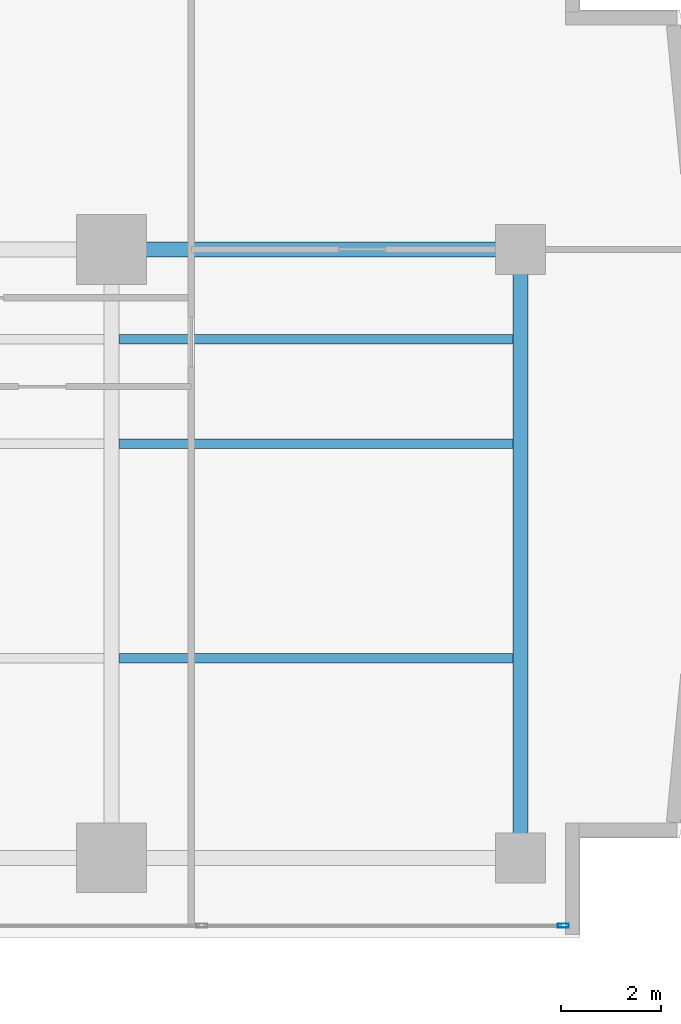
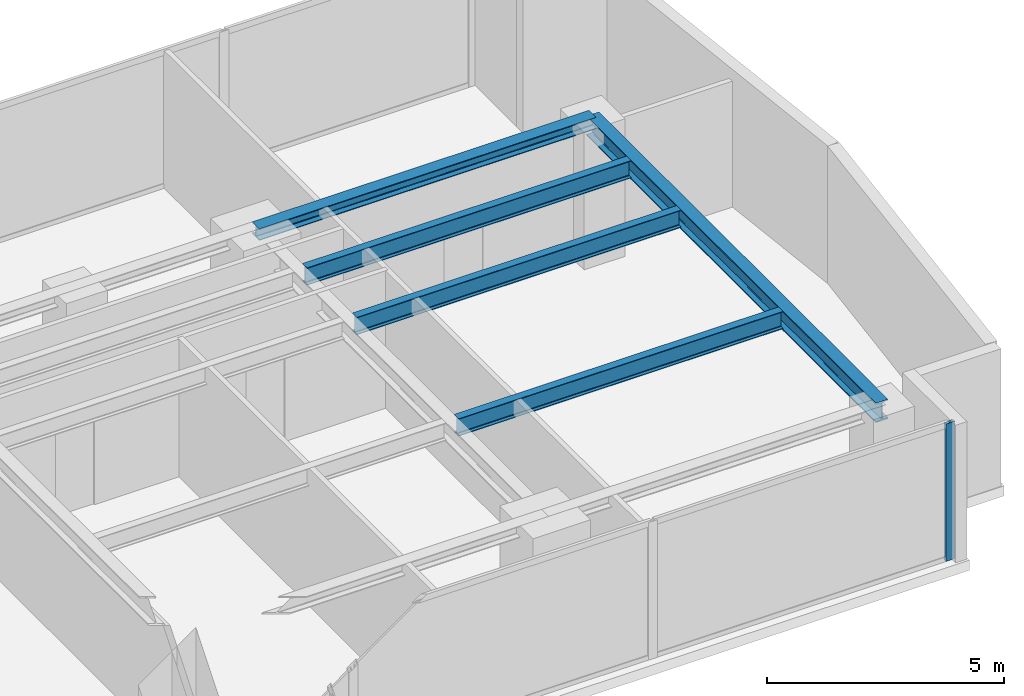
# One storey, part 13 of 28: 5 beams, 1 member, 1 element without a shape of its own.
"""IFC4 building model written with IfcOpenShell, lengths in metres."""

from ifc_helpers import new_model, si_unit, direction, frame, origin, origin_with_axes, origin_2d, place, context, subcontext, project, spatial, hollow_rectangle, i_section, extrude, source, transform, mapped, material, layer, layer_set, material_profile, profile_set, type_object, element, aggregate, save


model = new_model("IFC4")

# Units and contexts
model_context = context("Model", 3, precision=1e-05, world=origin(), true_north=direction((0.0, 1.0)))
body_context = subcontext(model_context, "Body", "Model", "MODEL_VIEW")
ifc_project = project(units=[si_unit("LENGTHUNIT", "METRE"), si_unit("AREAUNIT", "SQUARE_METRE"), si_unit("VOLUMEUNIT", "CUBIC_METRE"), si_unit("PLANEANGLEUNIT", "RADIAN"), si_unit("MASSUNIT", "GRAM", prefix="KILO")], contexts=[model_context])

# Site, building, storey
site_placement = place(None, origin())
site = spatial("IfcSite", under=ifc_project, at=site_placement, CompositionType="ELEMENT")
building_placement = place(site_placement, origin())
building = spatial("IfcBuilding", under=site, at=building_placement, Name="Kolvaren Waterfront Exchange", CompositionType="ELEMENT")
storey_placement = place(building_placement, frame((0.0, 0.0, 103.10009765625)))
storey = spatial("IfcBuildingStorey", under=building, at=storey_placement, Name="L26", CompositionType="ELEMENT", Elevation=103.10009765625)

# Beams
ifc_material_1 = material(Name="Steel S355", Category="steel")
ifc_material_profile_1 = material_profile(ifc_material_1, i_section(OverallWidth=0.300048828125, OverallDepth=0.300048828125, WebThickness=0.010986328125, FlangeThickness=0.01904296875, FilletRadius=0.027099609375, at=origin_2d()), Name="HEB300")
ifc_profile_set_1 = profile_set([ifc_material_profile_1], Name="Steel S355")
beam_type_1 = type_object("IfcBeamType", Name="STR-BM-HEB300", PredefinedType="SPANDREL", material=ifc_profile_set_1)
beam_1_placement = place(storey_placement, frame((45.60009765625, 17.39990234375, 3.389892578125), z_axis=(1.0, 0.0, 0.0), x_axis=(0.0, 1.0, 0.0)))
element("IfcBeam", 1, at=beam_1_placement, inside=storey, type_object=beam_type_1, Name="L26 east-arm spandrel N4", PredefinedType="SPANDREL", context=body_context, shape_type="SweptSolid", body=[
    extrude(i_section(OverallWidth=0.300048828125, OverallDepth=0.300048828125, WebThickness=0.010986328125, FlangeThickness=0.01904296875, FilletRadius=0.027099609375, at=origin_2d()), origin(), (0.0, 0.0, 1.0), 8.199951171875),
])
ifc_material_profile_2 = material_profile(ifc_material_1, i_section(OverallWidth=0.300048828125, OverallDepth=0.5, WebThickness=0.014404296875, FlangeThickness=0.028076171875, FilletRadius=0.027099609375, at=origin_2d()), Name="HEB500")
ifc_profile_set_2 = profile_set([ifc_material_profile_2], Name="Steel S355")
beam_type_2 = type_object("IfcBeamType", Name="STR-BM-HEB500", PredefinedType="BEAM", material=ifc_profile_set_2)
beam_2_placement = place(storey_placement, frame((53.800048828125, 5.199951171875, 3.289794921875), z_axis=(0.0, 1.0, 0.0), x_axis=(-1.0, 0.0, 0.0)))
element("IfcBeam", 2, at=beam_2_placement, inside=storey, type_object=beam_type_2, Name="L26 east-arm transverse girder X53", PredefinedType="BEAM", context=body_context, shape_type="SweptSolid", body=[
    extrude(i_section(OverallWidth=0.300048828125, OverallDepth=0.5, WebThickness=0.014404296875, FlangeThickness=0.028076171875, FilletRadius=0.027099609375, at=origin_2d()), origin(), (0.0, 0.0, 1.0), 12.199951171875),
])
ifc_material_profile_3 = material_profile(ifc_material_1, i_section(OverallWidth=0.18994140625, OverallDepth=0.449951171875, WebThickness=0.009521484375, FlangeThickness=0.0146484375, FilletRadius=0.02099609375, at=origin_2d()), Name="IPE450")
ifc_profile_set_3 = profile_set([ifc_material_profile_3], Name="Steel S355")
beam_type_3 = type_object("IfcBeamType", Name="STR-BM-IPE450", PredefinedType="JOIST", material=ifc_profile_set_3)
for number, where, z_axis, x_axis, name in (
    (3, (45.751953125, 13.5, 3.31494140625), (1.0, 0.0, 0.0), (0.0, 1.0, 0.0), "L26 east-arm composite joist 4A"),
    (4, (45.751953125, 15.60009765625, 3.31494140625), (1.0, 0.0, 0.0), (0.0, 1.0, 0.0), "L26 east-arm composite joist 4C"),
    (5, (45.751953125, 9.199951171875, 3.31494140625), (1.0, 0.0, 0.0), (0.0, 1.0, 0.0), "L26 east-arm composite joist 4B"),
):
    element("IfcBeam", number, at=place(storey_placement, frame(where, z_axis=z_axis, x_axis=x_axis)), inside=storey, type_object=beam_type_3, Name=name, PredefinedType="JOIST", context=body_context, shape_type="SweptSolid", body=[
        extrude(i_section(OverallWidth=0.18994140625, OverallDepth=0.449951171875, WebThickness=0.009521484375, FlangeThickness=0.0146484375, FilletRadius=0.02099609375, at=origin_2d()), origin(), (0.0, 0.0, 1.0), 7.89599609375),
    ])

# Curtain wall, member
ifc_material_2 = material(Name="Anodised bronze aluminium 6063-T6", Category="aluminium")
ifc_layer = layer(ifc_material_2, 0.219970703125, Name="Anodised bronze aluminium 6063-T6")
ifc_layer_set = layer_set([ifc_layer], Name="Anodised bronze aluminium 6063-T6")
curtain_wall_type = type_object("IfcCurtainWallType", Name="ARC-CW-SYS1", PredefinedType="USERDEFINED", material=ifc_layer_set)
curtain_wall_placement = place(storey_placement, origin())
curtain_wall = element("IfcCurtainWall", 6, at=curtain_wall_placement, inside=storey, type_object=curtain_wall_type, Name="L26 stick curtain wall CW1 (CW-L26-S)", ObjectType="STICK CURTAIN WALL", PredefinedType="USERDEFINED")
ifc_material_3 = material(Name="Anodised aluminium 6063-T6", Category="aluminium")
ifc_material_profile_4 = material_profile(ifc_material_3, hollow_rectangle(XDim=0.080078125, YDim=0.219970703125, WallThickness=0.0048828125, at=origin_2d()), Name="ALU-MUL-220x80x5")
ifc_profile_set_4 = profile_set([ifc_material_profile_4], Name="Anodised aluminium 6063-T6")
member_type = type_object("IfcMemberType", Name="ARC-CWM-220", PredefinedType="MULLION", material=ifc_profile_set_4)
shared_shape = source(origin_with_axes(), body_context, "Body", "SweptSolid", [
    extrude(hollow_rectangle(XDim=0.080078125, YDim=0.219970703125, WallThickness=0.0048828125, at=origin_2d()), origin(), (0.0, 0.0, 1.0), 3.539794921875),
])
member_placement = place(storey_placement, frame((54.659912109375, 3.840087890625, 0.0), z_axis=(0.0, 0.0, 1.0), x_axis=(0.0, 1.0, 0.0)))
member = element("IfcMember", 7, at=member_placement, type_object=member_type, Name="CW1 mullion 8", PredefinedType="MULLION", context=body_context, shape_type="MappedRepresentation", body=[
    mapped(shared_shape, transform((0.0, 0.0, 0.0), x_axis=(1.0, 0.0, 0.0), y_axis=(0.0, 1.0, 0.0), z_axis=(0.0, 0.0, 1.0), scale=1.0)),
])
aggregate(curtain_wall, [member])

save(model, "model.ifc")
